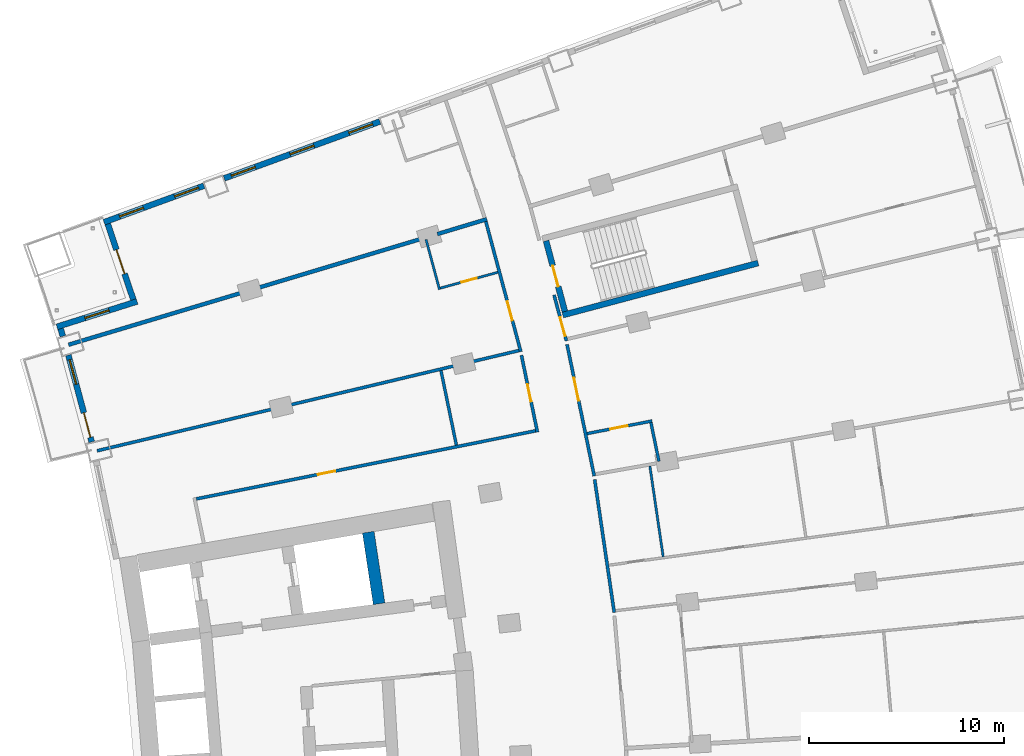
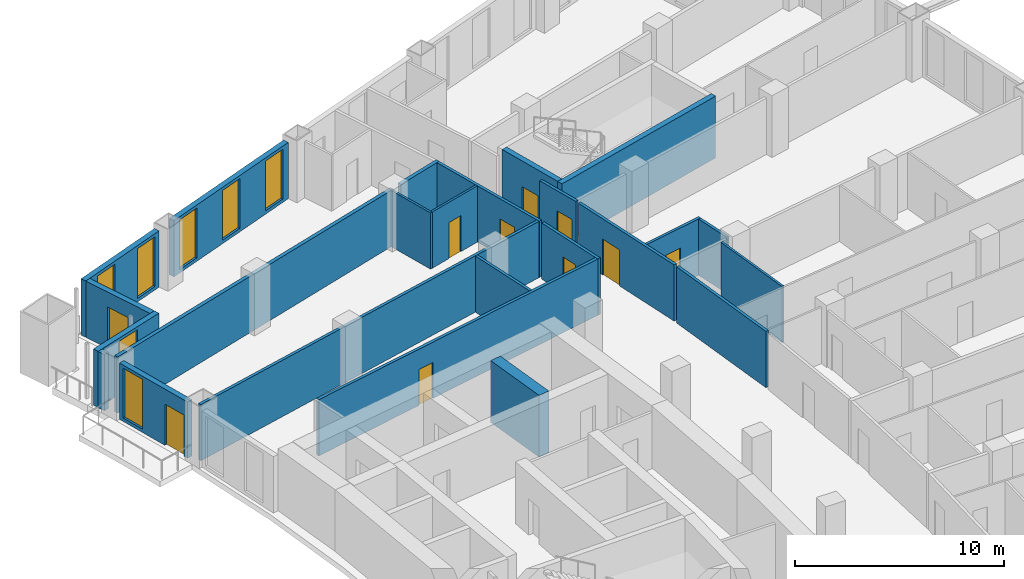
# One storey, part 19 of 25: 24 walls, 10 doors, 7 windows, 17 openings.
"""IFC4 building model written with IfcOpenShell, lengths in metres."""

from ifc_helpers import new_model, si_unit, direction, frame, frame_2d, origin, place, context, subcontext, project, spatial, rectangle, extrude, material, layer, layer_set, type_object, element, fill, save


model = new_model("IFC4")

# Units and contexts
model_context = context("Model", 3, precision=1e-05, world=origin(), true_north=direction((0.0, 1.0)))
body_context = subcontext(model_context, "Body", "Model", "MODEL_VIEW")
ifc_project = project(units=[si_unit("LENGTHUNIT", "METRE"), si_unit("AREAUNIT", "SQUARE_METRE"), si_unit("VOLUMEUNIT", "CUBIC_METRE"), si_unit("PLANEANGLEUNIT", "RADIAN"), si_unit("MASSUNIT", "GRAM", prefix="KILO")], contexts=[model_context])

# Site, building, storey
site_placement = place(None, origin())
site = spatial("IfcSite", under=ifc_project, at=site_placement, CompositionType="ELEMENT")
building_placement = place(site_placement, origin())
building = spatial("IfcBuilding", under=site, at=building_placement, Name="Alderwake Tower", CompositionType="ELEMENT")
storey_placement = place(building_placement, frame((0.0, 0.0, 35.60009765625)))
storey = spatial("IfcBuildingStorey", under=building, at=storey_placement, Name="L07", CompositionType="ELEMENT", Elevation=35.60009765625)

# Walls
ifc_material_1 = material(Name="Concrete C70/85", Category="concrete")
ifc_layer_1 = layer(ifc_material_1, 0.60009765625)
ifc_layer_set_1 = layer_set([ifc_layer_1], Name="Core wall spine 600 C70-85")
wall_type_1 = type_object("IfcWallType", Name="Core wall spine 600 C70-85", PredefinedType="SHEAR", material=ifc_layer_set_1)
wall_1_placement = place(storey_placement, frame((28.337646484375, 75.472412109375, 0.0), z_axis=(0.0, 0.0, 1.0), x_axis=(-0.149224787751, 0.988803298296, 0.0)))
element("IfcWall", 1, at=wall_1_placement, inside=storey, type_object=wall_type_1, Name="Core wall CW.001", PredefinedType="SHEAR", context=body_context, shape_type="SweptSolid", body=[
    extrude(rectangle(XDim=3.712158203125, YDim=0.60009765625, at=frame_2d((1.85595703125, 0.0))), origin(), (0.0, 0.0, 1.0), 3.599853515625),
])
ifc_material_2 = material(Name="Concrete C70/85", Category="concrete")
ifc_layer_2 = layer(ifc_material_2, 0.300048828125)
ifc_layer_set_2 = layer_set([ifc_layer_2], Name="Core wall stair enclosure 300 C70-85")
wall_type_2 = type_object("IfcWallType", Name="Core wall stair enclosure 300 C70-85", PredefinedType="SHEAR", material=ifc_layer_set_2)
wall_2_placement = place(storey_placement, frame((37.75390625, 90.268798828125, 0.0), z_axis=(0.0, 0.0, 1.0), x_axis=(0.966309214305, 0.257383958996, 0.0)))
element("IfcWall", 2, at=wall_2_placement, inside=storey, type_object=wall_type_2, Name="Core wall CW.084", PredefinedType="SHEAR", context=body_context, shape_type="SweptSolid", body=[
    extrude(rectangle(XDim=10.360107421875, YDim=0.300048828125, at=frame_2d((5.18017578125, 0.0))), origin(), (0.0, 0.0, 1.0), 3.599853515625),
])

# Wall, opening, door
wall_3_placement = place(storey_placement, frame((37.8603515625, 90.452392578125, 0.0), z_axis=(0.0, 0.0, 1.0), x_axis=(-0.257411420208, 0.966301899381, 0.0)))
wall_3 = element("IfcWall", 3, at=wall_3_placement, inside=storey, type_object=wall_type_2, Name="Core wall CW.083", PredefinedType="SHEAR", context=body_context, shape_type="SweptSolid", body=[
    extrude(rectangle(XDim=3.750244140625, YDim=0.300048828125, at=frame_2d((1.875, 0.0))), origin(), (0.0, 0.0, 1.0), 3.599853515625),
])
opening_1_placement = place(wall_3_placement, frame((1.324951171875, 0.0, 0.0)))
opening_1 = element("IfcOpeningElement", 4, at=opening_1_placement, cuts=wall_3, Name="Opening C062", PredefinedType="OPENING", context=body_context, shape_type="SweptSolid", body=[
    extrude(rectangle(XDim=1.10009765625, YDim=2.10009765625, at=frame_2d((0.550048828125, 1.050048828125))), frame((0.0, 0.159912109375, 0.0), z_axis=(0.0, -1.0, 0.0), x_axis=(1.0, 0.0, 0.0)), (0.0, 0.0, 1.0), 0.320068359375),
])
ifc_material_3 = material(Name="Steel-framed fire door leaf", Category="steel")
door_type_1 = type_object("IfcDoorType", Name="Core stair door 1100 fire-rated", OperationType="SINGLE_SWING_LEFT", PredefinedType="DOOR", material=ifc_material_3)
door_1_placement = place(opening_1_placement, origin())
door_1 = element("IfcDoor", 5, at=door_1_placement, inside=storey, type_object=door_type_1, Name="Stair door", OperationType="SINGLE_SWING_RIGHT", OverallHeight=2.10009765625, OverallWidth=1.10009765625, PredefinedType="DOOR", context=body_context, shape_type="SweptSolid", body=[
    extrude(rectangle(XDim=1.10009765625, YDim=2.10009765625, at=frame_2d((0.550048828125, 1.050048828125))), frame((0.0, 0.02490234375, 0.0), z_axis=(0.0, -1.0, 0.0), x_axis=(1.0, 0.0, 0.0)), (0.0, 0.0, 1.0), 0.050048828125),
])
fill(opening_1, door_1)

ifc_material_4 = material(Name="Gypsum board on metal studs, rated")
ifc_layer_3 = layer(ifc_material_4, 0.159912109375)
ifc_layer_set_3 = layer_set([ifc_layer_3], Name="Corridor wall 160")
wall_type_3 = type_object("IfcWallType", Name="Corridor wall 160", PredefinedType="PARTITIONING", material=ifc_layer_set_3)
wall_4_placement = place(storey_placement, frame((35.600830078125, 88.392578125, 0.0), z_axis=(0.0, 0.0, 1.0), x_axis=(-0.2593979597, 0.965770520622, 0.0)))
wall_4 = element("IfcWall", 6, at=wall_4_placement, inside=storey, type_object=wall_type_3, Name="WL/L07/W22", PredefinedType="PARTITIONING", context=body_context, shape_type="SweptSolid", body=[
    extrude(rectangle(XDim=6.9072265625, YDim=0.159912109375, at=frame_2d((3.45361328125, 0.0))), origin(), (0.0, 0.0, 1.0), 3.27978515625),
])
opening_2_placement = place(wall_4_placement, frame((1.65771484375, 0.0, 0.0)))
opening_2 = element("IfcOpeningElement", 7, at=opening_2_placement, cuts=wall_4, Name="Opening R01-U12.1", PredefinedType="OPENING", context=body_context, shape_type="SweptSolid", body=[
    extrude(rectangle(XDim=1.0, YDim=2.10009765625, at=frame_2d((0.5, 1.050048828125))), frame((0.0, 0.08984375, 0.0), z_axis=(0.0, -1.0, 0.0), x_axis=(1.0, 0.0, 0.0)), (0.0, 0.0, 1.0), 0.179931640625),
])
ifc_material_5 = material(Name="Solid timber leaf in steel frame", Category="steel")
door_type_2 = type_object("IfcDoorType", Name="Flat entrance door 1000 fire-rated", OperationType="SINGLE_SWING_LEFT", PredefinedType="DOOR", material=ifc_material_5)
door_2_placement = place(opening_2_placement, origin())
door_2 = element("IfcDoor", 8, at=door_2_placement, inside=storey, type_object=door_type_2, Name="DR/L07/U12.1", OperationType="SINGLE_SWING_LEFT", OverallHeight=2.10009765625, OverallWidth=1.0, PredefinedType="DOOR", context=body_context, shape_type="SweptSolid", body=[
    extrude(rectangle(XDim=1.0, YDim=2.10009765625, at=frame_2d((0.5, 1.050048828125))), frame((0.0, 0.02490234375, 0.0), z_axis=(0.0, -1.0, 0.0), x_axis=(1.0, 0.0, 0.0)), (0.0, 0.0, 1.0), 0.050048828125),
])
fill(opening_2, door_2)

# Wall
wall_5_placement = place(storey_placement, frame((35.502197265625, 88.451416015625, 0.0), z_axis=(0.0, 0.0, 1.0), x_axis=(-0.972894913244, -0.231247676278, 0.0)))
element("IfcWall", 9, at=wall_5_placement, inside=storey, type_object=wall_type_3, Name="WL/L07/W25", PredefinedType="PARTITIONING", context=body_context, shape_type="SweptSolid", body=[
    extrude(rectangle(XDim=22.220458984375, YDim=0.159912109375, at=frame_2d((11.1103515625, 0.0))), origin(), (0.0, 0.0, 1.0), 3.27978515625),
])

# Wall, opening, door
wall_6_placement = place(storey_placement, frame((36.451416015625, 84.272705078125, 0.0), z_axis=(0.0, 0.0, 1.0), x_axis=(-0.203258199701, 0.979125172924, 0.0)))
wall_6 = element("IfcWall", 10, at=wall_6_placement, inside=storey, type_object=wall_type_3, Name="WL/L07/W26", PredefinedType="PARTITIONING", context=body_context, shape_type="SweptSolid", body=[
    extrude(rectangle(XDim=4.020263671875, YDim=0.159912109375, at=frame_2d((2.01025390625, 0.0))), origin(), (0.0, 0.0, 1.0), 3.27978515625),
])
opening_3_placement = place(wall_6_placement, frame((1.599609375, 0.0, 0.0)))
opening_3 = element("IfcOpeningElement", 11, at=opening_3_placement, cuts=wall_6, Name="Opening R01-SBN2", PredefinedType="OPENING", context=body_context, shape_type="SweptSolid", body=[
    extrude(rectangle(XDim=0.89990234375, YDim=2.10009765625, at=frame_2d((0.449951171875, 1.050048828125))), frame((0.0, 0.08984375, 0.0), z_axis=(0.0, -1.0, 0.0), x_axis=(1.0, 0.0, 0.0)), (0.0, 0.0, 1.0), 0.179931640625),
])
ifc_material_6 = material(Name="Painted timber leaf", Category="wood")
door_type_3 = type_object("IfcDoorType", Name="Room door 900", OperationType="SINGLE_SWING_LEFT", PredefinedType="DOOR", material=ifc_material_6)
door_3_placement = place(opening_3_placement, origin())
door_3 = element("IfcDoor", 12, at=door_3_placement, inside=storey, type_object=door_type_3, Name="DR/L07/SBN2", OperationType="SINGLE_SWING_LEFT", OverallHeight=2.10009765625, OverallWidth=0.89990234375, PredefinedType="DOOR", context=body_context, shape_type="SweptSolid", body=[
    extrude(rectangle(XDim=0.89990234375, YDim=2.10009765625, at=frame_2d((0.449951171875, 1.050048828125))), frame((0.0, 0.02490234375, 0.0), z_axis=(0.0, -1.0, 0.0), x_axis=(1.0, 0.0, 0.0)), (0.0, 0.0, 1.0), 0.050048828125),
])
fill(opening_3, door_3)

wall_7_placement = place(storey_placement, frame((18.969482421875, 80.84765625, 0.0), z_axis=(0.0, 0.0, 1.0), x_axis=(0.980470914622, 0.196664144112, 0.0)))
wall_7 = element("IfcWall", 13, at=wall_7_placement, inside=storey, type_object=wall_type_3, Name="WL/L07/W30", PredefinedType="PARTITIONING", context=body_context, shape_type="SweptSolid", body=[
    extrude(rectangle(XDim=17.733642578125, YDim=0.159912109375, at=frame_2d((8.86669921875, 0.0))), origin(), (0.0, 0.0, 1.0), 3.27978515625),
])
opening_4_placement = place(wall_7_placement, frame((6.35693359375, 0.0, 0.0)))
opening_4 = element("IfcOpeningElement", 14, at=opening_4_placement, cuts=wall_7, Name="Opening R01-SBN1", PredefinedType="OPENING", context=body_context, shape_type="SweptSolid", body=[
    extrude(rectangle(XDim=0.89990234375, YDim=2.10009765625, at=frame_2d((0.449951171875, 1.050048828125))), frame((0.0, 0.08984375, 0.0), z_axis=(0.0, -1.0, 0.0), x_axis=(1.0, 0.0, 0.0)), (0.0, 0.0, 1.0), 0.179931640625),
])
door_4_placement = place(opening_4_placement, origin())
door_4 = element("IfcDoor", 15, at=door_4_placement, inside=storey, type_object=door_type_3, Name="DR/L07/SBN1", OperationType="SINGLE_SWING_LEFT", OverallHeight=2.10009765625, OverallWidth=0.89990234375, PredefinedType="DOOR", context=body_context, shape_type="SweptSolid", body=[
    extrude(rectangle(XDim=0.89990234375, YDim=2.10009765625, at=frame_2d((0.449951171875, 1.050048828125))), frame((0.0, 0.02490234375, 0.0), z_axis=(0.0, -1.0, 0.0), x_axis=(1.0, 0.0, 0.0)), (0.0, 0.0, 1.0), 0.050048828125),
])
fill(opening_4, door_4)

wall_8_placement = place(storey_placement, frame((37.304931640625, 91.299072265625, 0.0), z_axis=(0.0, 0.0, 1.0), x_axis=(0.259883580704, -0.965639955926, 0.0)))
wall_8 = element("IfcWall", 16, at=wall_8_placement, inside=storey, type_object=wall_type_3, Name="WL/L07/W34", PredefinedType="PARTITIONING", context=body_context, shape_type="SweptSolid", body=[
    extrude(rectangle(XDim=2.43505859375, YDim=0.159912109375, at=frame_2d((1.217529296875, 0.0))), origin(), (0.0, 0.0, 1.0), 3.27978515625),
])
opening_5_placement = place(wall_8_placement, frame((1.1796875, 0.0, 0.0)))
opening_5 = element("IfcOpeningElement", 17, at=opening_5_placement, cuts=wall_8, Name="Opening R01-U02.1", PredefinedType="OPENING", context=body_context, shape_type="SweptSolid", body=[
    extrude(rectangle(XDim=1.0, YDim=2.10009765625, at=frame_2d((0.5, 1.050048828125))), frame((0.0, 0.08984375, 0.0), z_axis=(0.0, -1.0, 0.0), x_axis=(1.0, 0.0, 0.0)), (0.0, 0.0, 1.0), 0.179931640625),
])
door_5_placement = place(opening_5_placement, origin())
door_5 = element("IfcDoor", 18, at=door_5_placement, inside=storey, type_object=door_type_2, Name="DR/L07/U02.1", OperationType="SINGLE_SWING_LEFT", OverallHeight=2.10009765625, OverallWidth=1.0, PredefinedType="DOOR", context=body_context, shape_type="SweptSolid", body=[
    extrude(rectangle(XDim=1.0, YDim=2.10009765625, at=frame_2d((0.5, 1.050048828125))), frame((0.0, 0.02490234375, 0.0), z_axis=(0.0, -1.0, 0.0), x_axis=(1.0, 0.0, 0.0)), (0.0, 0.0, 1.0), 0.050048828125),
])
fill(opening_5, door_5)

wall_9_placement = place(storey_placement, frame((37.970947265625, 88.763916015625, 0.0), z_axis=(0.0, 0.0, 1.0), x_axis=(0.202407399899, -0.979301406343, 0.0)))
wall_9 = element("IfcWall", 19, at=wall_9_placement, inside=storey, type_object=wall_type_3, Name="WL/L07/W37", PredefinedType="PARTITIONING", context=body_context, shape_type="SweptSolid", body=[
    extrude(rectangle(XDim=6.8837890625, YDim=0.159912109375, at=frame_2d((3.44189453125, 0.0))), origin(), (0.0, 0.0, 1.0), 3.27978515625),
])
opening_6_placement = place(wall_9_placement, frame((1.7412109375, 0.0, 0.0)))
opening_6 = element("IfcOpeningElement", 20, at=opening_6_placement, cuts=wall_9, Name="Opening R01-AM1.1", PredefinedType="OPENING", context=body_context, shape_type="SweptSolid", body=[
    extrude(rectangle(XDim=1.199951171875, YDim=2.10009765625, at=frame_2d((0.60009765625, 1.050048828125))), frame((0.0, 0.08984375, 0.0), z_axis=(0.0, -1.0, 0.0), x_axis=(1.0, 0.0, 0.0)), (0.0, 0.0, 1.0), 0.179931640625),
])
ifc_material_7 = material(Name="Steel-framed fire door leaf", Category="steel")
door_type_4 = type_object("IfcDoorType", Name="Lobby door 1200 fire-rated", OperationType="SINGLE_SWING_LEFT", PredefinedType="DOOR", material=ifc_material_7)
door_6_placement = place(opening_6_placement, origin())
door_6 = element("IfcDoor", 21, at=door_6_placement, inside=storey, type_object=door_type_4, Name="DR/L07/AM1.1", OperationType="SINGLE_SWING_LEFT", OverallHeight=2.10009765625, OverallWidth=1.199951171875, PredefinedType="DOOR", context=body_context, shape_type="SweptSolid", body=[
    extrude(rectangle(XDim=1.199951171875, YDim=2.10009765625, at=frame_2d((0.60009765625, 1.050048828125))), frame((0.0, 0.02490234375, 0.0), z_axis=(0.0, -1.0, 0.0), x_axis=(1.0, 0.0, 0.0)), (0.0, 0.0, 1.0), 0.050048828125),
])
fill(opening_6, door_6)

# Walls
wall_10_placement = place(storey_placement, frame((40.388671875, 75.02880859375, 0.0), z_axis=(0.0, 0.0, 1.0), x_axis=(-0.145597146039, 0.989343959938, 0.0)))
element("IfcWall", 22, at=wall_10_placement, inside=storey, type_object=wall_type_3, Name="WL/L07/W39", PredefinedType="PARTITIONING", context=body_context, shape_type="SweptSolid", body=[
    extrude(rectangle(XDim=6.881591796875, YDim=0.159912109375, at=frame_2d((3.44091796875, 0.0))), origin(), (0.0, 0.0, 1.0), 3.27978515625),
])
ifc_material_8 = material(Name="Precast concrete C50/60 spandrel panel", Category="concrete")
ifc_layer_4 = layer(ifc_material_8, 0.300048828125)
ifc_layer_set_4 = layer_set([ifc_layer_4], Name="External wall EW1 Precast concrete C50/60 spandrel")
wall_type_4 = type_object("IfcWallType", Name="External wall EW1 Precast concrete C50/60 spandrel", PredefinedType="SOLIDWALL", material=ifc_layer_set_4)
wall_11_placement = place(storey_placement, frame((12.01416015625, 89.5703125, 0.0), z_axis=(0.0, 0.0, 1.0), x_axis=(0.29468230117, -0.955595281161, 0.0)))
element("IfcWall", 23, at=wall_11_placement, inside=storey, type_object=wall_type_4, Name="External wall 32", PredefinedType="SOLIDWALL", context=body_context, shape_type="SweptSolid", body=[
    extrude(rectangle(XDim=0.402587890625, YDim=0.300048828125, at=frame_2d((0.201171875, 0.0))), origin(), (0.0, 0.0, 1.0), 3.27978515625),
])

# Wall, openings, door, window
wall_12_placement = place(storey_placement, frame((12.4130859375, 88.212890625, 0.0), z_axis=(0.0, 0.0, 1.0), x_axis=(0.259495671332, -0.965744270788, 0.0)))
wall_12 = element("IfcWall", 24, at=wall_12_placement, inside=storey, type_object=wall_type_4, Name="External wall 33", PredefinedType="SOLIDWALL", context=body_context, shape_type="SweptSolid", body=[
    extrude(rectangle(XDim=4.599609375, YDim=0.300048828125, at=frame_2d((2.2998046875, 0.0))), origin(), (0.0, 0.0, 1.0), 3.27978515625),
])
opening_7_placement = place(wall_12_placement, frame((0.2412109375, 0.0, 0.199951171875)))
opening_7 = element("IfcOpeningElement", 25, at=opening_7_placement, cuts=wall_12, Name="Opening W1", PredefinedType="OPENING", context=body_context, shape_type="SweptSolid", body=[
    extrude(rectangle(XDim=1.300048828125, YDim=2.89990234375, at=frame_2d((0.64990234375, 1.449951171875))), frame((0.0, 0.159912109375, 0.0), z_axis=(0.0, -1.0, 0.0), x_axis=(1.0, 0.0, 0.0)), (0.0, 0.0, 1.0), 0.320068359375),
])
opening_8_placement = place(wall_12_placement, frame((3.058349609375, 0.0, 0.0)))
opening_8 = element("IfcOpeningElement", 26, at=opening_8_placement, cuts=wall_12, Name="Opening D14", PredefinedType="OPENING", context=body_context, shape_type="SweptSolid", body=[
    extrude(rectangle(XDim=1.300048828125, YDim=2.39990234375, at=frame_2d((0.64990234375, 1.199951171875))), frame((0.0, 0.159912109375, 0.0), z_axis=(0.0, -1.0, 0.0), x_axis=(1.0, 0.0, 0.0)), (0.0, 0.0, 1.0), 0.320068359375),
])
ifc_material_9 = material(Name="Bronze tinted glass in aluminium frame", Category="aluminium")
door_type_5 = type_object("IfcDoorType", Name="Balcony door BD sliding", OperationType="SLIDING_TO_LEFT", PredefinedType="DOOR", material=ifc_material_9)
door_7_placement = place(opening_8_placement, origin())
door_7 = element("IfcDoor", 27, at=door_7_placement, inside=storey, type_object=door_type_5, Name="Door D14", OperationType="SLIDING_TO_LEFT", OverallHeight=2.39990234375, OverallWidth=1.300048828125, PredefinedType="DOOR", context=body_context, shape_type="SweptSolid", body=[
    extrude(rectangle(XDim=1.300048828125, YDim=2.39990234375, at=frame_2d((0.64990234375, 1.199951171875))), frame((0.0, 0.02490234375, 0.0), z_axis=(0.0, -1.0, 0.0), x_axis=(1.0, 0.0, 0.0)), (0.0, 0.0, 1.0), 0.050048828125),
])
fill(opening_8, door_7)
ifc_material_10 = material(Name="Bronze tinted glass in aluminium frame", Category="aluminium")
window_type = type_object("IfcWindowType", Name="Window W1 tall fixed and vent", PartitioningType="DOUBLE_PANEL_VERTICAL", PredefinedType="WINDOW", material=ifc_material_10)
window_1_placement = place(opening_7_placement, origin())
window_1 = element("IfcWindow", 28, at=window_1_placement, inside=storey, type_object=window_type, Name="Window W1 tall fixed and vent", OverallHeight=2.89990234375, OverallWidth=1.300048828125, PartitioningType="DOUBLE_PANEL_VERTICAL", PredefinedType="WINDOW", context=body_context, shape_type="SweptSolid", body=[
    extrude(rectangle(XDim=1.300048828125, YDim=2.89990234375, at=frame_2d((0.64990234375, 1.449951171875))), frame((0.0, 0.030029296875, 0.0), z_axis=(0.0, -1.0, 0.0), x_axis=(1.0, 0.0, 0.0)), (0.0, 0.0, 1.0), 0.06005859375),
])
fill(opening_7, window_1)

# Wall, openings, windows
ifc_material_11 = material(Name="Bronze metal cladding on lightweight framing")
ifc_layer_5 = layer(ifc_material_11, 0.300048828125)
ifc_layer_set_5 = layer_set([ifc_layer_5], Name="External wall EW2 bronze metal cladding")
wall_type_5 = type_object("IfcWallType", Name="External wall EW2 bronze metal cladding", PredefinedType="SOLIDWALL", material=ifc_layer_set_5)
wall_13_placement = place(storey_placement, frame((28.37890625, 100.18896484375, 0.0), z_axis=(0.0, 0.0, 1.0), x_axis=(-0.939369809957, -0.342905759856, 0.0)))
wall_13 = element("IfcWall", 29, at=wall_13_placement, inside=storey, type_object=wall_type_5, Name="External wall 28", PredefinedType="SOLIDWALL", context=body_context, shape_type="SweptSolid", body=[
    extrude(rectangle(XDim=8.495361328125, YDim=0.300048828125, at=frame_2d((4.24755859375, 0.0))), origin(), (0.0, 0.0, 1.0), 3.27978515625),
])
opening_9_placement = place(wall_13_placement, frame((0.397705078125, 0.0, 0.199951171875)))
opening_9 = element("IfcOpeningElement", 30, at=opening_9_placement, cuts=wall_13, Name="Opening W1", PredefinedType="OPENING", context=body_context, shape_type="SweptSolid", body=[
    extrude(rectangle(XDim=1.300048828125, YDim=2.89990234375, at=frame_2d((0.64990234375, 1.449951171875))), frame((0.0, 0.159912109375, 0.0), z_axis=(0.0, -1.0, 0.0), x_axis=(1.0, 0.0, 0.0)), (0.0, 0.0, 1.0), 0.320068359375),
])
opening_10_placement = place(wall_13_placement, frame((3.59765625, 0.0, 0.199951171875)))
opening_10 = element("IfcOpeningElement", 31, at=opening_10_placement, cuts=wall_13, Name="Opening W1", PredefinedType="OPENING", context=body_context, shape_type="SweptSolid", body=[
    extrude(rectangle(XDim=1.300048828125, YDim=2.89990234375, at=frame_2d((0.64990234375, 1.449951171875))), frame((0.0, 0.159912109375, 0.0), z_axis=(0.0, -1.0, 0.0), x_axis=(1.0, 0.0, 0.0)), (0.0, 0.0, 1.0), 0.320068359375),
])
opening_11_placement = place(wall_13_placement, frame((6.7978515625, 0.0, 0.199951171875)))
opening_11 = element("IfcOpeningElement", 32, at=opening_11_placement, cuts=wall_13, Name="Opening W1", PredefinedType="OPENING", context=body_context, shape_type="SweptSolid", body=[
    extrude(rectangle(XDim=1.300048828125, YDim=2.89990234375, at=frame_2d((0.64990234375, 1.449951171875))), frame((0.0, 0.159912109375, 0.0), z_axis=(0.0, -1.0, 0.0), x_axis=(1.0, 0.0, 0.0)), (0.0, 0.0, 1.0), 0.320068359375),
])
window_2_placement = place(opening_9_placement, origin())
window_2 = element("IfcWindow", 33, at=window_2_placement, inside=storey, type_object=window_type, Name="Window W1 tall fixed and vent", OverallHeight=2.89990234375, OverallWidth=1.300048828125, PartitioningType="DOUBLE_PANEL_VERTICAL", PredefinedType="WINDOW", context=body_context, shape_type="SweptSolid", body=[
    extrude(rectangle(XDim=1.300048828125, YDim=2.89990234375, at=frame_2d((0.64990234375, 1.449951171875))), frame((0.0, 0.030029296875, 0.0), z_axis=(0.0, -1.0, 0.0), x_axis=(1.0, 0.0, 0.0)), (0.0, 0.0, 1.0), 0.06005859375),
])
fill(opening_9, window_2)
window_3_placement = place(opening_10_placement, origin())
window_3 = element("IfcWindow", 34, at=window_3_placement, inside=storey, type_object=window_type, Name="Window W1 tall fixed and vent", OverallHeight=2.89990234375, OverallWidth=1.300048828125, PartitioningType="DOUBLE_PANEL_VERTICAL", PredefinedType="WINDOW", context=body_context, shape_type="SweptSolid", body=[
    extrude(rectangle(XDim=1.300048828125, YDim=2.89990234375, at=frame_2d((0.64990234375, 1.449951171875))), frame((0.0, 0.030029296875, 0.0), z_axis=(0.0, -1.0, 0.0), x_axis=(1.0, 0.0, 0.0)), (0.0, 0.0, 1.0), 0.06005859375),
])
fill(opening_10, window_3)
window_4_placement = place(opening_11_placement, origin())
window_4 = element("IfcWindow", 35, at=window_4_placement, inside=storey, type_object=window_type, Name="Window W1 tall fixed and vent", OverallHeight=2.89990234375, OverallWidth=1.300048828125, PartitioningType="DOUBLE_PANEL_VERTICAL", PredefinedType="WINDOW", context=body_context, shape_type="SweptSolid", body=[
    extrude(rectangle(XDim=1.300048828125, YDim=2.89990234375, at=frame_2d((0.64990234375, 1.449951171875))), frame((0.0, 0.030029296875, 0.0), z_axis=(0.0, -1.0, 0.0), x_axis=(1.0, 0.0, 0.0)), (0.0, 0.0, 1.0), 0.06005859375),
])
fill(opening_11, window_4)

wall_14_placement = place(storey_placement, frame((19.360595703125, 96.89697265625, 0.0), z_axis=(0.0, 0.0, 1.0), x_axis=(-0.939360985368, -0.342929933321, 0.0)))
wall_14 = element("IfcWall", 36, at=wall_14_placement, inside=storey, type_object=wall_type_5, Name="External wall 29", PredefinedType="SOLIDWALL", context=body_context, shape_type="SweptSolid", body=[
    extrude(rectangle(XDim=5.448974609375, YDim=0.300048828125, at=frame_2d((2.724609375, 0.0))), origin(), (0.0, 0.0, 1.0), 3.27978515625),
])
opening_12_placement = place(wall_14_placement, frame((0.2978515625, 0.0, 0.199951171875)))
opening_12 = element("IfcOpeningElement", 37, at=opening_12_placement, cuts=wall_14, Name="Opening W1", PredefinedType="OPENING", context=body_context, shape_type="SweptSolid", body=[
    extrude(rectangle(XDim=1.300048828125, YDim=2.89990234375, at=frame_2d((0.64990234375, 1.449951171875))), frame((0.0, 0.159912109375, 0.0), z_axis=(0.0, -1.0, 0.0), x_axis=(1.0, 0.0, 0.0)), (0.0, 0.0, 1.0), 0.320068359375),
])
opening_13_placement = place(wall_14_placement, frame((3.298583984375, 0.0, 0.199951171875)))
opening_13 = element("IfcOpeningElement", 38, at=opening_13_placement, cuts=wall_14, Name="Opening W1", PredefinedType="OPENING", context=body_context, shape_type="SweptSolid", body=[
    extrude(rectangle(XDim=1.300048828125, YDim=2.89990234375, at=frame_2d((0.64990234375, 1.449951171875))), frame((0.0, 0.159912109375, 0.0), z_axis=(0.0, -1.0, 0.0), x_axis=(1.0, 0.0, 0.0)), (0.0, 0.0, 1.0), 0.320068359375),
])
window_5_placement = place(opening_12_placement, origin())
window_5 = element("IfcWindow", 39, at=window_5_placement, inside=storey, type_object=window_type, Name="Window W1 tall fixed and vent", OverallHeight=2.89990234375, OverallWidth=1.300048828125, PartitioningType="DOUBLE_PANEL_VERTICAL", PredefinedType="WINDOW", context=body_context, shape_type="SweptSolid", body=[
    extrude(rectangle(XDim=1.300048828125, YDim=2.89990234375, at=frame_2d((0.64990234375, 1.449951171875))), frame((0.0, 0.030029296875, 0.0), z_axis=(0.0, -1.0, 0.0), x_axis=(1.0, 0.0, 0.0)), (0.0, 0.0, 1.0), 0.06005859375),
])
fill(opening_12, window_5)
window_6_placement = place(opening_13_placement, origin())
window_6 = element("IfcWindow", 40, at=window_6_placement, inside=storey, type_object=window_type, Name="Window W1 tall fixed and vent", OverallHeight=2.89990234375, OverallWidth=1.300048828125, PartitioningType="DOUBLE_PANEL_VERTICAL", PredefinedType="WINDOW", context=body_context, shape_type="SweptSolid", body=[
    extrude(rectangle(XDim=1.300048828125, YDim=2.89990234375, at=frame_2d((0.64990234375, 1.449951171875))), frame((0.0, 0.030029296875, 0.0), z_axis=(0.0, -1.0, 0.0), x_axis=(1.0, 0.0, 0.0)), (0.0, 0.0, 1.0), 0.06005859375),
])
fill(opening_13, window_6)

# Wall, opening, door
wall_15_placement = place(storey_placement, frame((14.430908203125, 94.937744140625, 0.0), z_axis=(0.0, 0.0, 1.0), x_axis=(0.320379458656, -0.947289291859, 0.0)))
wall_15 = element("IfcWall", 41, at=wall_15_placement, inside=storey, type_object=wall_type_5, Name="External wall 30", PredefinedType="SOLIDWALL", context=body_context, shape_type="SweptSolid", body=[
    extrude(rectangle(XDim=4.08984375, YDim=0.300048828125, at=frame_2d((2.044921875, 0.0))), origin(), (0.0, 0.0, 1.0), 3.27978515625),
])
opening_14_placement = place(wall_15_placement, frame((1.39501953125, 0.0, 0.0)))
opening_14 = element("IfcOpeningElement", 42, at=opening_14_placement, cuts=wall_15, Name="Opening D13", PredefinedType="OPENING", context=body_context, shape_type="SweptSolid", body=[
    extrude(rectangle(XDim=1.300048828125, YDim=2.39990234375, at=frame_2d((0.64990234375, 1.199951171875))), frame((0.0, 0.159912109375, 0.0), z_axis=(0.0, -1.0, 0.0), x_axis=(1.0, 0.0, 0.0)), (0.0, 0.0, 1.0), 0.320068359375),
])
door_8_placement = place(opening_14_placement, origin())
door_8 = element("IfcDoor", 43, at=door_8_placement, inside=storey, type_object=door_type_5, Name="Door D13", OperationType="SLIDING_TO_LEFT", OverallHeight=2.39990234375, OverallWidth=1.300048828125, PredefinedType="DOOR", context=body_context, shape_type="SweptSolid", body=[
    extrude(rectangle(XDim=1.300048828125, YDim=2.39990234375, at=frame_2d((0.64990234375, 1.199951171875))), frame((0.0, 0.02490234375, 0.0), z_axis=(0.0, -1.0, 0.0), x_axis=(1.0, 0.0, 0.0)), (0.0, 0.0, 1.0), 0.050048828125),
])
fill(opening_14, door_8)

# Wall, opening, window
wall_16_placement = place(storey_placement, frame((15.932373046875, 90.966552734375, 0.0), z_axis=(0.0, 0.0, 1.0), x_axis=(-0.953473772386, -0.301475978103, 0.0)))
wall_16 = element("IfcWall", 44, at=wall_16_placement, inside=storey, type_object=wall_type_5, Name="External wall 31", PredefinedType="SOLIDWALL", context=body_context, shape_type="SweptSolid", body=[
    extrude(rectangle(XDim=4.305908203125, YDim=0.300048828125, at=frame_2d((2.15283203125, 0.0))), origin(), (0.0, 0.0, 1.0), 3.27978515625),
])
opening_15_placement = place(wall_16_placement, frame((1.5029296875, 0.0, 0.199951171875)))
opening_15 = element("IfcOpeningElement", 45, at=opening_15_placement, cuts=wall_16, Name="Opening W1", PredefinedType="OPENING", context=body_context, shape_type="SweptSolid", body=[
    extrude(rectangle(XDim=1.300048828125, YDim=2.89990234375, at=frame_2d((0.64990234375, 1.449951171875))), frame((0.0, 0.159912109375, 0.0), z_axis=(0.0, -1.0, 0.0), x_axis=(1.0, 0.0, 0.0)), (0.0, 0.0, 1.0), 0.320068359375),
])
window_7_placement = place(opening_15_placement, origin())
window_7 = element("IfcWindow", 46, at=window_7_placement, inside=storey, type_object=window_type, Name="Window W1 tall fixed and vent", OverallHeight=2.89990234375, OverallWidth=1.300048828125, PartitioningType="DOUBLE_PANEL_VERTICAL", PredefinedType="WINDOW", context=body_context, shape_type="SweptSolid", body=[
    extrude(rectangle(XDim=1.300048828125, YDim=2.89990234375, at=frame_2d((0.64990234375, 1.449951171875))), frame((0.0, 0.030029296875, 0.0), z_axis=(0.0, -1.0, 0.0), x_axis=(1.0, 0.0, 0.0)), (0.0, 0.0, 1.0), 0.06005859375),
])
fill(opening_15, window_7)

# Walls
ifc_material_12 = material(Name="Dense block masonry wall", Category="masonry")
ifc_layer_6 = layer(ifc_material_12, 0.199951171875)
ifc_layer_set_6 = layer_set([ifc_layer_6], Name="Party wall 200")
wall_type_6 = type_object("IfcWallType", Name="Party wall 200", PredefinedType="SOLIDWALL", material=ifc_layer_set_6)
wall_17_placement = place(storey_placement, frame((30.812744140625, 94.270751953125, 0.0), z_axis=(0.0, 0.0, 1.0), x_axis=(-0.957756965565, -0.287578849904, 0.0)))
element("IfcWall", 47, at=wall_17_placement, inside=storey, type_object=wall_type_6, Name="WL/L07/W01", PredefinedType="SOLIDWALL", context=body_context, shape_type="SweptSolid", body=[
    extrude(rectangle(XDim=19.20068359375, YDim=0.199951171875, at=frame_2d((9.600341796875, 0.0))), origin(), (0.0, 0.0, 1.0), 3.27978515625),
])
wall_18_placement = place(storey_placement, frame((33.859619140625, 95.18310546875, 0.0), z_axis=(0.0, 0.0, 1.0), x_axis=(-0.957762803886, -0.287559405153, 0.0)))
element("IfcWall", 48, at=wall_18_placement, inside=storey, type_object=wall_type_6, Name="WL/L07/W04", PredefinedType="SOLIDWALL", context=body_context, shape_type="SweptSolid", body=[
    extrude(rectangle(XDim=2.647216796875, YDim=0.199951171875, at=frame_2d((1.32373046875, 0.0))), origin(), (0.0, 0.0, 1.0), 3.27978515625),
])
ifc_material_13 = material(Name="Gypsum shaft wall system, rated")
ifc_layer_7 = layer(ifc_material_13, 0.14990234375)
ifc_layer_set_7 = layer_set([ifc_layer_7], Name="Riser and shaft wall 150")
wall_type_7 = type_object("IfcWallType", Name="Riser and shaft wall 150", PredefinedType="PARTITIONING", material=ifc_layer_set_7)
wall_19_placement = place(storey_placement, frame((32.2998046875, 83.601318359375, 0.0), z_axis=(0.0, 0.0, 1.0), x_axis=(-0.202493797034, 0.979283545334, 0.0)))
element("IfcWall", 49, at=wall_19_placement, inside=storey, type_object=wall_type_7, Name="WL/L07/W13", PredefinedType="PARTITIONING", context=body_context, shape_type="SweptSolid", body=[
    extrude(rectangle(XDim=3.899169921875, YDim=0.14990234375, at=frame_2d((1.94970703125, 0.0))), origin(), (0.0, 0.0, 1.0), 3.27978515625),
])

# Wall, opening, door
wall_20_placement = place(storey_placement, frame((42.32861328125, 84.84228515625, 0.0), z_axis=(0.0, 0.0, 1.0), x_axis=(-0.981655808185, -0.190661674853, 0.0)))
wall_20 = element("IfcWall", 50, at=wall_20_placement, inside=storey, type_object=wall_type_7, Name="WL/L07/W14", PredefinedType="PARTITIONING", context=body_context, shape_type="SweptSolid", body=[
    extrude(rectangle(XDim=3.393310546875, YDim=0.14990234375, at=frame_2d((1.69677734375, 0.0))), origin(), (0.0, 0.0, 1.0), 3.27978515625),
])
opening_16_placement = place(wall_20_placement, frame((1.2841796875, 0.0, 0.0)))
opening_16 = element("IfcOpeningElement", 51, at=opening_16_placement, cuts=wall_20, Name="Opening R01-AM1.2", PredefinedType="OPENING", context=body_context, shape_type="SweptSolid", body=[
    extrude(rectangle(XDim=0.89990234375, YDim=2.10009765625, at=frame_2d((0.449951171875, 1.050048828125))), frame((0.0, 0.0849609375, 0.0), z_axis=(0.0, -1.0, 0.0), x_axis=(1.0, 0.0, 0.0)), (0.0, 0.0, 1.0), 0.169921875),
])
door_9_placement = place(opening_16_placement, origin())
door_9 = element("IfcDoor", 52, at=door_9_placement, inside=storey, type_object=door_type_3, Name="DR/L07/AM1.2", OperationType="SINGLE_SWING_LEFT", OverallHeight=2.10009765625, OverallWidth=0.89990234375, PredefinedType="DOOR", context=body_context, shape_type="SweptSolid", body=[
    extrude(rectangle(XDim=0.89990234375, YDim=2.10009765625, at=frame_2d((0.449951171875, 1.050048828125))), frame((0.0, 0.02490234375, 0.0), z_axis=(0.0, -1.0, 0.0), x_axis=(1.0, 0.0, 0.0)), (0.0, 0.0, 1.0), 0.050048828125),
])
fill(opening_16, door_9)

# Walls
wall_21_placement = place(storey_placement, frame((42.6796875, 82.7734375, 0.0), z_axis=(0.0, 0.0, 1.0), x_axis=(-0.202402059343, 0.979302510144, 0.0)))
element("IfcWall", 53, at=wall_21_placement, inside=storey, type_object=wall_type_7, Name="WL/L07/W15", PredefinedType="PARTITIONING", context=body_context, shape_type="SweptSolid", body=[
    extrude(rectangle(XDim=2.022705078125, YDim=0.14990234375, at=frame_2d((1.01123046875, 0.0))), origin(), (0.0, 0.0, 1.0), 3.27978515625),
])
ifc_material_14 = material(Name="Moisture resistant gypsum board on metal studs")
ifc_layer_8 = layer(ifc_material_14, 0.1201171875)
ifc_layer_set_8 = layer_set([ifc_layer_8], Name="Wet room partition 120")
wall_type_8 = type_object("IfcWallType", Name="Wet room partition 120", PredefinedType="PARTITIONING", material=ifc_layer_set_8)
wall_22_placement = place(storey_placement, frame((30.742919921875, 94.1455078125, 0.0), z_axis=(0.0, 0.0, 1.0), x_axis=(0.260032723084, -0.965599804746, 0.0)))
element("IfcWall", 54, at=wall_22_placement, inside=storey, type_object=wall_type_8, Name="WL/L07/W47", PredefinedType="PARTITIONING", context=body_context, shape_type="SweptSolid", body=[
    extrude(rectangle(XDim=2.659912109375, YDim=0.1201171875, at=frame_2d((1.330078125, 0.0))), origin(), (0.0, 0.0, 1.0), 3.27978515625),
])

# Wall, opening, door
wall_23_placement = place(storey_placement, frame((31.476806640625, 91.65087890625, 0.0), z_axis=(0.0, 0.0, 1.0), x_axis=(0.964118102321, 0.265473698843, 0.0)))
wall_23 = element("IfcWall", 55, at=wall_23_placement, inside=storey, type_object=wall_type_8, Name="WL/L07/W49", PredefinedType="PARTITIONING", context=body_context, shape_type="SweptSolid", body=[
    extrude(rectangle(XDim=3.058837890625, YDim=0.1201171875, at=frame_2d((1.529296875, 0.0))), origin(), (0.0, 0.0, 1.0), 3.27978515625),
])
opening_17_placement = place(wall_23_placement, frame((1.12939453125, 0.0, 0.0)))
opening_17 = element("IfcOpeningElement", 56, at=opening_17_placement, cuts=wall_23, Name="Opening R01-U12.2", PredefinedType="OPENING", context=body_context, shape_type="SweptSolid", body=[
    extrude(rectangle(XDim=0.800048828125, YDim=2.10009765625, at=frame_2d((0.39990234375, 1.050048828125))), frame((0.0, 0.070068359375, 0.0), z_axis=(0.0, -1.0, 0.0), x_axis=(1.0, 0.0, 0.0)), (0.0, 0.0, 1.0), 0.14013671875),
])
ifc_material_15 = material(Name="Painted timber leaf", Category="wood")
door_type_6 = type_object("IfcDoorType", Name="Bathroom door 800", OperationType="SINGLE_SWING_LEFT", PredefinedType="DOOR", material=ifc_material_15)
door_10_placement = place(opening_17_placement, origin())
door_10 = element("IfcDoor", 57, at=door_10_placement, inside=storey, type_object=door_type_6, Name="DR/L07/U12.2", OperationType="SINGLE_SWING_LEFT", OverallHeight=2.10009765625, OverallWidth=0.800048828125, PredefinedType="DOOR", context=body_context, shape_type="SweptSolid", body=[
    extrude(rectangle(XDim=0.800048828125, YDim=2.10009765625, at=frame_2d((0.39990234375, 1.050048828125))), frame((0.0, 0.02490234375, 0.0), z_axis=(0.0, -1.0, 0.0), x_axis=(1.0, 0.0, 0.0)), (0.0, 0.0, 1.0), 0.050048828125),
])
fill(opening_17, door_10)

# Wall
wall_24_placement = place(storey_placement, frame((42.898681640625, 77.881591796875, 0.0), z_axis=(0.0, 0.0, 1.0), x_axis=(-0.145429646978, 0.989368595509, 0.0)))
element("IfcWall", 58, at=wall_24_placement, inside=storey, type_object=wall_type_8, Name="WL/L07/W58", PredefinedType="PARTITIONING", context=body_context, shape_type="SweptSolid", body=[
    extrude(rectangle(XDim=4.697265625, YDim=0.1201171875, at=frame_2d((2.3486328125, 0.0))), origin(), (0.0, 0.0, 1.0), 3.27978515625),
])

save(model, "model.ifc")
